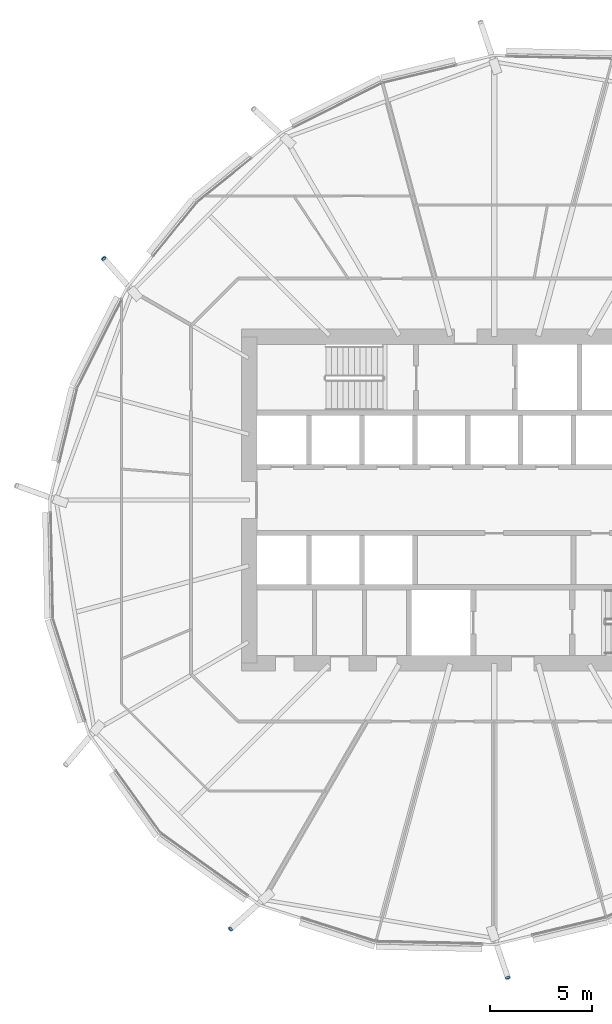
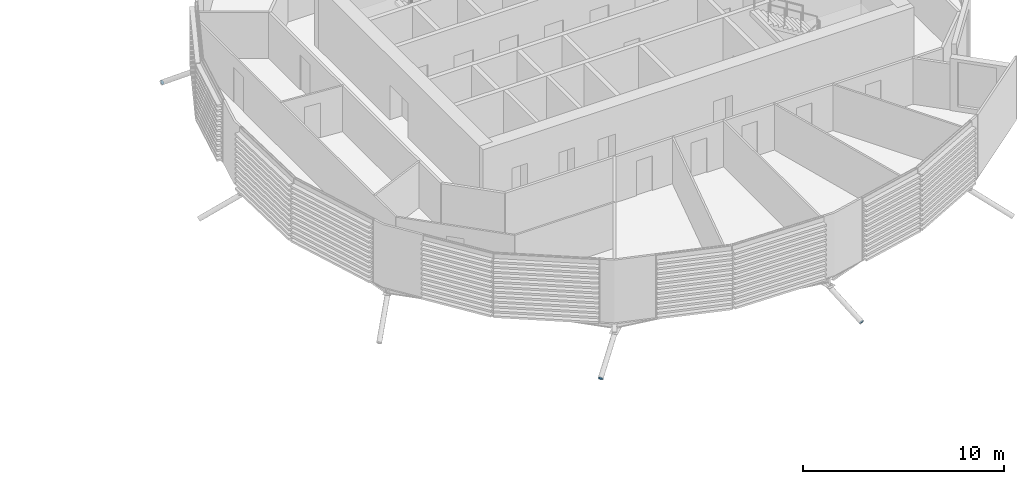
# One storey, part 30 of 38: 3 discrete accessories.
"""IFC4 building model written with IfcOpenShell, lengths in metres."""

from ifc_helpers import new_model, si_unit, direction, frame, origin, origin_2d, place, context, subcontext, project, spatial, circle, extrude, material, material_profile, profile_set, type_object, element, save


model = new_model("IFC4")

# Units and contexts
model_context = context("Model", 3, precision=1e-05, world=origin(), true_north=direction((0.0, 1.0)))
body_context = subcontext(model_context, "Body", "Model", "MODEL_VIEW")
ifc_project = project(units=[si_unit("LENGTHUNIT", "METRE"), si_unit("AREAUNIT", "SQUARE_METRE"), si_unit("VOLUMEUNIT", "CUBIC_METRE"), si_unit("PLANEANGLEUNIT", "RADIAN"), si_unit("MASSUNIT", "GRAM", prefix="KILO")], contexts=[model_context])

# Site, building, storey
site_placement = place(None, origin())
site = spatial("IfcSite", under=ifc_project, at=site_placement, CompositionType="ELEMENT")
building_placement = place(site_placement, origin())
building = spatial("IfcBuilding", under=site, at=building_placement, Name="Rimbun Link Towers", CompositionType="ELEMENT")
storey_placement = place(building_placement, frame((0.0, 0.0, 119.60009765625)))
storey = spatial("IfcBuildingStorey", under=building, at=storey_placement, Name="L29", CompositionType="ELEMENT", Elevation=119.60009765625)

# Discrete accessories
ifc_material = material(Name="Steel S355J2H", Category="steel")
ifc_material_profile = material_profile(ifc_material, circle(Radius=0.1240234375, at=origin_2d()), Name="PL D248")
ifc_profile_set = profile_set([ifc_material_profile], Name="Steel S355J2H")
discrete_accessory_type = type_object("IfcDiscreteAccessoryType", Name="Link foot sealing plate D248X20", PredefinedType="BRACKET", material=ifc_profile_set)
for number, where, z_axis, x_axis, name in (
    (1, (12.62939453125, 11.82421875, -1.98388671875), (-0.551204096945, 0.63694695647, -0.538955117013), (-0.756168682463, -0.654376744439, 0.0), "Link foot sealing plate T2 L29 07"),
    (2, (18.8330078125, -21.015380859375, -2.18310546875), (-0.646870797986, -0.585845251006, -0.488204375838), (0.671279432626, -0.741204373525, 0.0), "Link foot sealing plate T2 L29 13"),
):
    element("IfcDiscreteAccessory", number, at=place(storey_placement, frame(where, z_axis=z_axis, x_axis=x_axis)), inside=storey, type_object=discrete_accessory_type, Name=name, PredefinedType="BRACKET", context=body_context, shape_type="SweptSolid", body=[
        extrude(circle(Radius=0.1240234375, at=origin_2d()), origin(), (0.0, 0.0, 1.0), 0.02001953125),
    ])
discrete_accessory_placement = place(storey_placement, frame((32.412109375, -23.3974609375, -2.081787109375), z_axis=(0.278690648323, -0.83607194497, -0.472562403679), x_axis=(0.948683298051, 0.316227766017, 0.0)))
element("IfcDiscreteAccessory", 3, at=discrete_accessory_placement, inside=storey, type_object=discrete_accessory_type, Name="Link foot sealing plate T2 L29 15", PredefinedType="BRACKET", context=body_context, shape_type="SweptSolid", body=[
    extrude(circle(Radius=0.1240234375, at=origin_2d()), origin(), (0.0, 0.0, 1.0), 0.020263671875),
])

save(model, "model.ifc")
